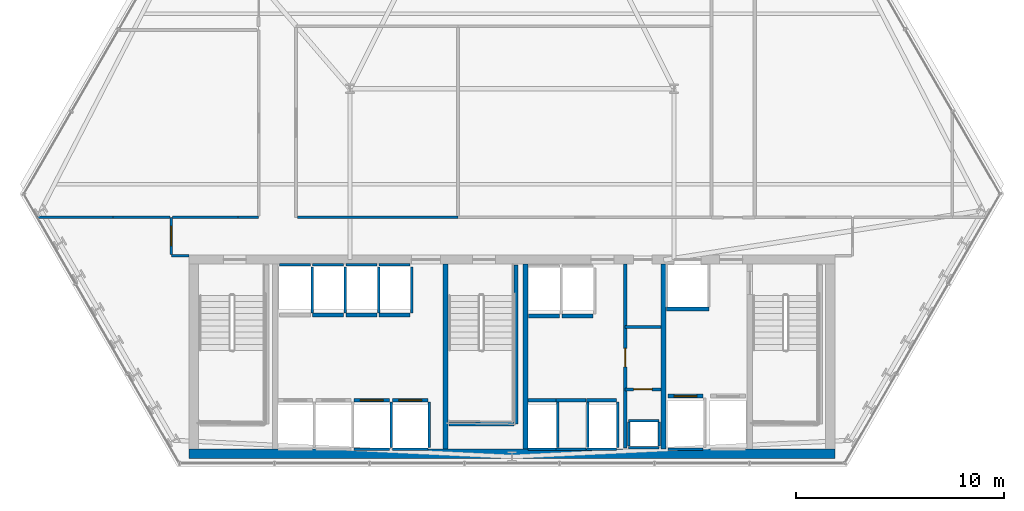
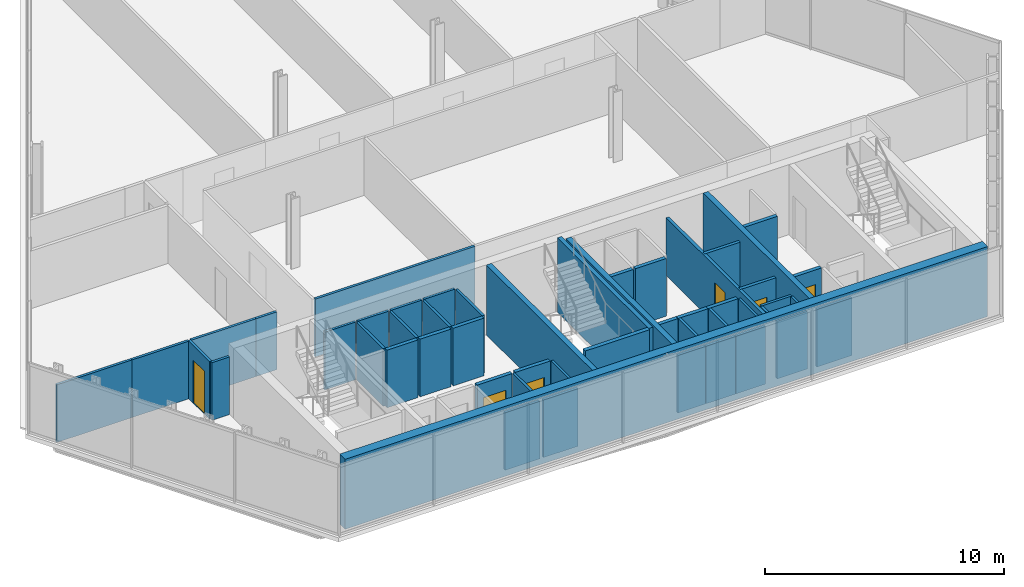
# One storey, part 27 of 32: 51 walls, 6 doors, 6 openings.
"""IFC4 building model written with IfcOpenShell, lengths in metres."""

from ifc_helpers import new_model, si_unit, direction, frame, frame_2d, origin, place, context, subcontext, project, spatial, rectangle, extrude, material, layer, layer_set, type_object, element, fill, save


model = new_model("IFC4")

# Units and contexts
model_context = context("Model", 3, precision=1e-05, world=origin(), true_north=direction((0.0, 1.0)))
body_context = subcontext(model_context, "Body", "Model", "MODEL_VIEW")
ifc_project = project(units=[si_unit("LENGTHUNIT", "METRE"), si_unit("AREAUNIT", "SQUARE_METRE"), si_unit("VOLUMEUNIT", "CUBIC_METRE"), si_unit("PLANEANGLEUNIT", "RADIAN"), si_unit("MASSUNIT", "GRAM", prefix="KILO")], contexts=[model_context])

# Site, building, storey
site_placement = place(None, origin())
site = spatial("IfcSite", under=ifc_project, at=site_placement, CompositionType="ELEMENT")
building_placement = place(site_placement, origin())
building = spatial("IfcBuilding", under=site, at=building_placement, Name="Ndaravel Arena Tower", CompositionType="ELEMENT")
storey_placement = place(building_placement, frame((0.0, 0.0, 70.199951171875)))
storey = spatial("IfcBuildingStorey", under=building, at=storey_placement, Name="L15", CompositionType="ELEMENT", Elevation=70.199951171875)

# Wall, opening, door
ifc_material_1 = material(Name="Gypsum", Category="gypsum")
ifc_layer_1 = layer(ifc_material_1, 0.14990234375)
ifc_layer_set_1 = layer_set([ifc_layer_1], Name="Gypsum")
wall_type_1 = type_object("IfcWallType", Name="WALL-COMP-150", PredefinedType="PARTITIONING", material=ifc_layer_set_1)
wall_1_placement = place(storey_placement, frame((47.449951171875, 5.89990234375, 0.0), z_axis=(0.0, 0.0, 1.0), x_axis=(0.0, 1.0, 0.0)))
wall_1 = element("IfcWall", 1, at=wall_1_placement, inside=storey, type_object=wall_type_1, Name="L15 Core Riser Bay Partition", PredefinedType="PARTITIONING", context=body_context, shape_type="SweptSolid", body=[
    extrude(rectangle(XDim=8.85009765625, YDim=0.14990234375, at=frame_2d((4.425048828125, 0.0))), origin(), (0.0, 0.0, 1.0), 2.949951171875),
])
opening_1_placement = place(wall_1_placement, frame((3.89990234375, 0.0, 0.0)))
opening_1 = element("IfcOpeningElement", 2, at=opening_1_placement, cuts=wall_1, Name="Opening RD-01", PredefinedType="OPENING", context=body_context, shape_type="SweptSolid", body=[
    extrude(rectangle(XDim=0.89990234375, YDim=2.10009765625, at=frame_2d((0.449951171875, 1.050048828125))), frame((0.0, 0.074951171875, 0.0), z_axis=(0.0, -1.0, 0.0), x_axis=(1.0, 0.0, 0.0)), (0.0, 0.0, 1.0), 0.14990234375),
])
ifc_material_2 = material(Name="Steel S355", Category="steel")
door_type_1 = type_object("IfcDoorType", Name="DT-08-RISER-900", OperationType="SINGLE_SWING_LEFT", PredefinedType="DOOR", material=ifc_material_2)
door_1_placement = place(opening_1_placement, origin())
door_1 = element("IfcDoor", 3, at=door_1_placement, inside=storey, type_object=door_type_1, Name="L15 Plumbing Riser Door", OperationType="SINGLE_SWING_LEFT", OverallHeight=2.10009765625, OverallWidth=0.89990234375, PredefinedType="DOOR", context=body_context, shape_type="SweptSolid", body=[
    extrude(rectangle(XDim=0.89990234375, YDim=2.10009765625, at=frame_2d((0.449951171875, 1.050048828125))), frame((0.0, 0.02490234375, 0.0), z_axis=(0.0, -1.0, 0.0), x_axis=(1.0, 0.0, 0.0)), (0.0, 0.0, 1.0), 0.050048828125),
])
fill(opening_1, door_1)

wall_2_placement = place(storey_placement, frame((47.449951171875, 8.719970703125, 0.0), z_axis=(0.0, 0.0, 1.0), x_axis=(1.0, 0.0, 0.0)))
wall_2 = element("IfcWall", 4, at=wall_2_placement, inside=storey, type_object=wall_type_1, Name="L15 Core Riser Divider 1", PredefinedType="PARTITIONING", context=body_context, shape_type="SweptSolid", body=[
    extrude(rectangle(XDim=1.72998046875, YDim=0.14990234375, at=frame_2d((0.864990234375, 0.0))), origin(), (0.0, 0.0, 1.0), 2.949951171875),
])
opening_2_placement = place(wall_2_placement, frame((0.39990234375, 0.0, 0.0)))
opening_2 = element("IfcOpeningElement", 5, at=opening_2_placement, cuts=wall_2, Name="Opening RD-01", PredefinedType="OPENING", context=body_context, shape_type="SweptSolid", body=[
    extrude(rectangle(XDim=0.89990234375, YDim=2.10009765625, at=frame_2d((0.449951171875, 1.050048828125))), frame((0.0, 0.074951171875, 0.0), z_axis=(0.0, -1.0, 0.0), x_axis=(1.0, 0.0, 0.0)), (0.0, 0.0, 1.0), 0.14990234375),
])
door_2_placement = place(opening_2_placement, origin())
door_2 = element("IfcDoor", 6, at=door_2_placement, inside=storey, type_object=door_type_1, Name="L15 Low-Voltage Riser Door", OperationType="SINGLE_SWING_RIGHT", OverallHeight=2.10009765625, OverallWidth=0.89990234375, PredefinedType="DOOR", context=body_context, shape_type="SweptSolid", body=[
    extrude(rectangle(XDim=0.89990234375, YDim=2.10009765625, at=frame_2d((0.449951171875, 1.050048828125))), frame((0.0, 0.02490234375, 0.0), z_axis=(0.0, -1.0, 0.0), x_axis=(1.0, 0.0, 0.0)), (0.0, 0.0, 1.0), 0.050048828125),
])
fill(opening_2, door_2)

# Walls
wall_3_placement = place(storey_placement, frame((47.449951171875, 11.719970703125, 0.0), z_axis=(0.0, 0.0, 1.0), x_axis=(1.0, 0.0, 0.0)))
element("IfcWall", 7, at=wall_3_placement, inside=storey, type_object=wall_type_1, Name="L15 Core Riser Divider 2", PredefinedType="PARTITIONING", context=body_context, shape_type="SweptSolid", body=[
    extrude(rectangle(XDim=1.72998046875, YDim=0.14990234375, at=frame_2d((0.864990234375, 0.0))), origin(), (0.0, 0.0, 1.0), 2.949951171875),
])
ifc_material_3 = material(Name="Concrete C60/75", Category="concrete")
ifc_layer_2 = layer(ifc_material_3, 0.25)
ifc_layer_set_2 = layer_set([ifc_layer_2], Name="Concrete C60/75")
wall_type_2 = type_object("IfcWallType", Name="WALL-CORE-250", PredefinedType="SOLIDWALL", material=ifc_layer_set_2)
for number, where, z_axis, x_axis, name in (
    (8, (38.800048828125, 5.85009765625, 0.0), (0.0, 0.0, 1.0), (0.0, 1.0, 0.0), "L15 Core Web Shear Wall 2"),
    (9, (42.64990234375, 5.85009765625, 0.0), (0.0, 0.0, 1.0), (0.0, 1.0, 0.0), "L15 Core Web Shear Wall 3"),
    (10, (49.300048828125, 5.85009765625, 0.0), (0.0, 0.0, 1.0), (0.0, 1.0, 0.0), "L15 Core Web Shear Wall 4"),
):
    element("IfcWall", number, at=place(storey_placement, frame(where, z_axis=z_axis, x_axis=x_axis)), inside=storey, type_object=wall_type_2, Name=name, PredefinedType="SOLIDWALL", context=body_context, shape_type="SweptSolid", body=[
        extrude(rectangle(XDim=8.89990234375, YDim=0.25, at=frame_2d((4.449951171875, 0.0))), origin(), (0.0, 0.0, 1.0), 3.580078125),
    ])
ifc_material_4 = material(Name="Concrete C60/75", Category="concrete")
ifc_layer_3 = layer(ifc_material_4, 0.449951171875)
ifc_layer_set_3 = layer_set([ifc_layer_3], Name="Concrete C60/75")
wall_type_3 = type_object("IfcWallType", Name="WALL-CORE-450", PredefinedType="SOLIDWALL", material=ifc_layer_set_3)
wall_4_placement = place(storey_placement, frame((26.449951171875, 5.625, 0.0), z_axis=(0.0, 0.0, 1.0), x_axis=(1.0, 0.0, 0.0)))
element("IfcWall", 11, at=wall_4_placement, inside=storey, type_object=wall_type_3, Name="L15 Core South Shear Wall", PredefinedType="SOLIDWALL", context=body_context, shape_type="SweptSolid", body=[
    extrude(rectangle(XDim=31.10009765625, YDim=0.449951171875, at=frame_2d((15.550048828125, 0.0))), origin(), (0.0, 0.0, 1.0), 3.580078125),
])
ifc_material_5 = material(Name="Gypsum", Category="gypsum")
ifc_layer_4 = layer(ifc_material_5, 0.125)
ifc_layer_set_4 = layer_set([ifc_layer_4], Name="Gypsum")
wall_type_4 = type_object("IfcWallType", Name="WALL-PART-125", PredefinedType="PARTITIONING", material=ifc_layer_set_4)
wall_5_placement = place(storey_placement, frame((26.449951171875, 15.14990234375, 0.0), z_axis=(0.0, 0.0, 1.0), x_axis=(-1.0, 0.0, 0.0)))
element("IfcWall", 12, at=wall_5_placement, inside=storey, type_object=wall_type_4, Name="L15 Interior Partition 003", PredefinedType="PARTITIONING", context=body_context, shape_type="SweptSolid", body=[
    extrude(rectangle(XDim=0.849853515625, YDim=0.125, at=frame_2d((0.4248046875, 0.0))), origin(), (0.0, 0.0, 1.0), 2.949951171875),
])

# Wall, opening, door
wall_6_placement = place(storey_placement, frame((25.60009765625, 15.215087890625, 0.0), z_axis=(0.0, 0.0, 1.0), x_axis=(0.0, 1.0, 0.0)))
wall_6 = element("IfcWall", 13, at=wall_6_placement, inside=storey, type_object=wall_type_4, Name="L15 Interior Partition 004", PredefinedType="PARTITIONING", context=body_context, shape_type="SweptSolid", body=[
    extrude(rectangle(XDim=1.784912109375, YDim=0.125, at=frame_2d((0.892578125, 0.0))), origin(), (0.0, 0.0, 1.0), 2.949951171875),
])
opening_3_placement = place(wall_6_placement, frame((0.41748046875, 0.0, 0.0)))
opening_3 = element("IfcOpeningElement", 14, at=opening_3_placement, cuts=wall_6, Name="Opening ID-01", PredefinedType="OPENING", context=body_context, shape_type="SweptSolid", body=[
    extrude(rectangle(XDim=0.949951171875, YDim=2.199951171875, at=frame_2d((0.47509765625, 1.10009765625))), frame((0.0, 0.0625, 0.0), z_axis=(0.0, -1.0, 0.0), x_axis=(1.0, 0.0, 0.0)), (0.0, 0.0, 1.0), 0.125),
])
ifc_material_6 = material(Name="Timber", Category="wood")
door_type_2 = type_object("IfcDoorType", Name="DT-03-OFFICE-950", OperationType="SINGLE_SWING_LEFT", PredefinedType="DOOR", material=ifc_material_6)
door_3_placement = place(opening_3_placement, origin())
door_3 = element("IfcDoor", 15, at=door_3_placement, inside=storey, type_object=door_type_2, Name="L15 Open Plan Workplace Door", OperationType="SINGLE_SWING_RIGHT", OverallHeight=2.199951171875, OverallWidth=0.949951171875, PredefinedType="DOOR", context=body_context, shape_type="SweptSolid", body=[
    extrude(rectangle(XDim=0.949951171875, YDim=2.199951171875, at=frame_2d((0.47509765625, 1.10009765625))), frame((0.0, 0.02490234375, 0.0), z_axis=(0.0, -1.0, 0.0), x_axis=(1.0, 0.0, 0.0)), (0.0, 0.0, 1.0), 0.050048828125),
])
fill(opening_3, door_3)

# Walls
wall_7_placement = place(storey_placement, frame((25.6650390625, 17.0, 0.0), z_axis=(0.0, 0.0, 1.0), x_axis=(1.0, 0.0, 0.0)))
element("IfcWall", 16, at=wall_7_placement, inside=storey, type_object=wall_type_4, Name="L15 Interior Partition 005", PredefinedType="PARTITIONING", context=body_context, shape_type="SweptSolid", body=[
    extrude(rectangle(XDim=3.135009765625, YDim=0.125, at=frame_2d((1.5673828125, 0.0))), origin(), (0.0, 0.0, 1.0), 2.949951171875),
])
wall_8_placement = place(storey_placement, frame((28.800048828125, 17.0, 0.0), z_axis=(0.0, 0.0, 1.0), x_axis=(1.0, 0.0, 0.0)))
element("IfcWall", 17, at=wall_8_placement, inside=storey, type_object=wall_type_4, Name="L15 Interior Partition 006", PredefinedType="PARTITIONING", context=body_context, shape_type="SweptSolid", body=[
    extrude(rectangle(XDim=1.0, YDim=0.125, at=frame_2d((0.5, 0.0))), origin(), (0.0, 0.0, 1.0), 2.949951171875),
])
wall_9_placement = place(storey_placement, frame((31.6650390625, 17.0, 0.0), z_axis=(0.0, 0.0, 1.0), x_axis=(1.0, 0.0, 0.0)))
element("IfcWall", 18, at=wall_9_placement, inside=storey, type_object=wall_type_4, Name="L15 Interior Partition 018", PredefinedType="PARTITIONING", context=body_context, shape_type="SweptSolid", body=[
    extrude(rectangle(XDim=7.73486328125, YDim=0.125, at=frame_2d((3.867431640625, 0.0))), origin(), (0.0, 0.0, 1.0), 2.949951171875),
])
wall_10_placement = place(storey_placement, frame((19.1494140625, 17.0, 0.0), z_axis=(0.0, 0.0, 1.0), x_axis=(1.0, 0.0, 0.0)))
element("IfcWall", 19, at=wall_10_placement, inside=storey, type_object=wall_type_4, Name="L15 Interior Partition 023", PredefinedType="PARTITIONING", context=body_context, shape_type="SweptSolid", body=[
    extrude(rectangle(XDim=3.650634765625, YDim=0.125, at=frame_2d((1.8251953125, 0.0))), origin(), (0.0, 0.0, 1.0), 2.949951171875),
])
wall_11_placement = place(storey_placement, frame((22.800048828125, 17.0, 0.0), z_axis=(0.0, 0.0, 1.0), x_axis=(1.0, 0.0, 0.0)))
element("IfcWall", 20, at=wall_11_placement, inside=storey, type_object=wall_type_4, Name="L15 Interior Partition 024", PredefinedType="PARTITIONING", context=body_context, shape_type="SweptSolid", body=[
    extrude(rectangle(XDim=2.73486328125, YDim=0.125, at=frame_2d((1.367431640625, 0.0))), origin(), (0.0, 0.0, 1.0), 2.949951171875),
])
ifc_material_7 = material(Name="Concrete C40/50", Category="concrete")
ifc_layer_5 = layer(ifc_material_7, 0.1201171875)
ifc_layer_set_5 = layer_set([ifc_layer_5], Name="Concrete C40/50")
wall_type_5 = type_object("IfcWallType", Name="WALL-SHAFT-120", PredefinedType="SOLIDWALL", material=ifc_layer_set_5)
for number, where, z_axis, x_axis, name in (
    (21, (47.6201171875, 5.919921875, 0.0), (0.0, 0.0, 1.0), (1.0, 0.0, 0.0), "L15 MEP Riser Shaft S Wall"),
    (22, (47.6201171875, 7.219970703125, 0.0), (0.0, 0.0, 1.0), (1.0, 0.0, 0.0), "L15 MEP Riser Shaft N Wall"),
):
    element("IfcWall", number, at=place(storey_placement, frame(where, z_axis=z_axis, x_axis=x_axis)), inside=storey, type_object=wall_type_5, Name=name, PredefinedType="SOLIDWALL", context=body_context, shape_type="SweptSolid", body=[
        extrude(rectangle(XDim=1.4599609375, YDim=0.1201171875, at=frame_2d((0.72998046875, 0.0))), origin(), (0.0, 0.0, 1.0), 2.949951171875),
    ])
for number, where, z_axis, x_axis, name in (
    (23, (47.6201171875, 6.0, 0.0), (0.0, 0.0, 1.0), (0.0, 1.0, 0.0), "L15 MEP Riser Shaft W Wall"),
    (24, (49.080078125, 6.0, 0.0), (0.0, 0.0, 1.0), (0.0, 1.0, 0.0), "L15 MEP Riser Shaft E Wall"),
):
    element("IfcWall", number, at=place(storey_placement, frame(where, z_axis=z_axis, x_axis=x_axis)), inside=storey, type_object=wall_type_5, Name=name, PredefinedType="SOLIDWALL", context=body_context, shape_type="SweptSolid", body=[
        extrude(rectangle(XDim=1.139892578125, YDim=0.1201171875, at=frame_2d((0.56982421875, 0.0))), origin(), (0.0, 0.0, 1.0), 2.949951171875),
    ])
wall_12_placement = place(storey_placement, frame((34.405029296875, 5.840087890625, 0.0), z_axis=(0.0, 0.0, 1.0), x_axis=(1.0, 0.0, 0.0)))
element("IfcWall", 25, at=wall_12_placement, inside=storey, type_object=wall_type_5, Name="L15 PL-L3 Shaft Rear Wall", PredefinedType="SOLIDWALL", context=body_context, shape_type="SweptSolid", body=[
    extrude(rectangle(XDim=1.68994140625, YDim=0.1201171875, at=frame_2d((0.844970703125, 0.0))), origin(), (0.0, 0.0, 1.0), 2.949951171875),
])
wall_13_placement = place(storey_placement, frame((36.175048828125, 5.929931640625, 0.0), z_axis=(0.0, 0.0, 1.0), x_axis=(0.0, 1.0, 0.0)))
element("IfcWall", 26, at=wall_13_placement, inside=storey, type_object=wall_type_5, Name="L15 PL-L3 Shaft Side R Wall", PredefinedType="SOLIDWALL", context=body_context, shape_type="SweptSolid", body=[
    extrude(rectangle(XDim=2.18017578125, YDim=0.1201171875, at=frame_2d((1.090087890625, 0.0))), origin(), (0.0, 0.0, 1.0), 2.949951171875),
])
wall_14_placement = place(storey_placement, frame((36.2548828125, 5.840087890625, 0.0), z_axis=(0.0, 0.0, 1.0), x_axis=(1.0, 0.0, 0.0)))
element("IfcWall", 27, at=wall_14_placement, inside=storey, type_object=wall_type_5, Name="L15 PL-L4 Shaft Rear Wall", PredefinedType="SOLIDWALL", context=body_context, shape_type="SweptSolid", body=[
    extrude(rectangle(XDim=1.690185546875, YDim=0.1201171875, at=frame_2d((0.84521484375, 0.0))), origin(), (0.0, 0.0, 1.0), 2.949951171875),
])
wall_15_placement = place(storey_placement, frame((38.02490234375, 5.929931640625, 0.0), z_axis=(0.0, 0.0, 1.0), x_axis=(0.0, 1.0, 0.0)))
element("IfcWall", 28, at=wall_15_placement, inside=storey, type_object=wall_type_5, Name="L15 PL-L4 Shaft Side R Wall", PredefinedType="SOLIDWALL", context=body_context, shape_type="SweptSolid", body=[
    extrude(rectangle(XDim=2.18017578125, YDim=0.1201171875, at=frame_2d((1.090087890625, 0.0))), origin(), (0.0, 0.0, 1.0), 2.949951171875),
])
wall_16_placement = place(storey_placement, frame((30.804931640625, 14.7099609375, 0.0), z_axis=(0.0, 0.0, 1.0), x_axis=(1.0, 0.0, 0.0)))
element("IfcWall", 29, at=wall_16_placement, inside=storey, type_object=wall_type_5, Name="L15 PL-M1 Shaft Rear Wall", PredefinedType="SOLIDWALL", context=body_context, shape_type="SweptSolid", body=[
    extrude(rectangle(XDim=1.489990234375, YDim=0.1201171875, at=frame_2d((0.7451171875, 0.0))), origin(), (0.0, 0.0, 1.0), 2.949951171875),
])
wall_17_placement = place(storey_placement, frame((32.375, 12.389892578125, 0.0), z_axis=(0.0, 0.0, 1.0), x_axis=(0.0, 1.0, 0.0)))
element("IfcWall", 30, at=wall_17_placement, inside=storey, type_object=wall_type_5, Name="L15 PL-M1 Shaft Side R Wall", PredefinedType="SOLIDWALL", context=body_context, shape_type="SweptSolid", body=[
    extrude(rectangle(XDim=2.230224609375, YDim=0.1201171875, at=frame_2d((1.115234375, 0.0))), origin(), (0.0, 0.0, 1.0), 2.949951171875),
])
wall_18_placement = place(storey_placement, frame((32.405029296875, 14.7099609375, 0.0), z_axis=(0.0, 0.0, 1.0), x_axis=(1.0, 0.0, 0.0)))
element("IfcWall", 31, at=wall_18_placement, inside=storey, type_object=wall_type_5, Name="L15 PL-M2 Shaft Rear Wall", PredefinedType="SOLIDWALL", context=body_context, shape_type="SweptSolid", body=[
    extrude(rectangle(XDim=1.489990234375, YDim=0.1201171875, at=frame_2d((0.7451171875, 0.0))), origin(), (0.0, 0.0, 1.0), 2.949951171875),
])
wall_19_placement = place(storey_placement, frame((33.97509765625, 12.389892578125, 0.0), z_axis=(0.0, 0.0, 1.0), x_axis=(0.0, 1.0, 0.0)))
element("IfcWall", 32, at=wall_19_placement, inside=storey, type_object=wall_type_5, Name="L15 PL-M2 Shaft Side R Wall", PredefinedType="SOLIDWALL", context=body_context, shape_type="SweptSolid", body=[
    extrude(rectangle(XDim=2.230224609375, YDim=0.1201171875, at=frame_2d((1.115234375, 0.0))), origin(), (0.0, 0.0, 1.0), 2.949951171875),
])
wall_20_placement = place(storey_placement, frame((34.0048828125, 14.7099609375, 0.0), z_axis=(0.0, 0.0, 1.0), x_axis=(1.0, 0.0, 0.0)))
element("IfcWall", 33, at=wall_20_placement, inside=storey, type_object=wall_type_5, Name="L15 PL-M3 Shaft Rear Wall", PredefinedType="SOLIDWALL", context=body_context, shape_type="SweptSolid", body=[
    extrude(rectangle(XDim=1.490234375, YDim=0.1201171875, at=frame_2d((0.7451171875, 0.0))), origin(), (0.0, 0.0, 1.0), 2.949951171875),
])
wall_21_placement = place(storey_placement, frame((35.574951171875, 12.389892578125, 0.0), z_axis=(0.0, 0.0, 1.0), x_axis=(0.0, 1.0, 0.0)))
element("IfcWall", 34, at=wall_21_placement, inside=storey, type_object=wall_type_5, Name="L15 PL-M3 Shaft Side R Wall", PredefinedType="SOLIDWALL", context=body_context, shape_type="SweptSolid", body=[
    extrude(rectangle(XDim=2.230224609375, YDim=0.1201171875, at=frame_2d((1.115234375, 0.0))), origin(), (0.0, 0.0, 1.0), 2.949951171875),
])
wall_22_placement = place(storey_placement, frame((35.60498046875, 14.7099609375, 0.0), z_axis=(0.0, 0.0, 1.0), x_axis=(1.0, 0.0, 0.0)))
element("IfcWall", 35, at=wall_22_placement, inside=storey, type_object=wall_type_5, Name="L15 PL-M4 Shaft Rear Wall", PredefinedType="SOLIDWALL", context=body_context, shape_type="SweptSolid", body=[
    extrude(rectangle(XDim=1.489990234375, YDim=0.1201171875, at=frame_2d((0.7451171875, 0.0))), origin(), (0.0, 0.0, 1.0), 2.949951171875),
])
wall_23_placement = place(storey_placement, frame((37.175048828125, 12.389892578125, 0.0), z_axis=(0.0, 0.0, 1.0), x_axis=(0.0, 1.0, 0.0)))
element("IfcWall", 36, at=wall_23_placement, inside=storey, type_object=wall_type_5, Name="L15 PL-M4 Shaft Side R Wall", PredefinedType="SOLIDWALL", context=body_context, shape_type="SweptSolid", body=[
    extrude(rectangle(XDim=2.230224609375, YDim=0.1201171875, at=frame_2d((1.115234375, 0.0))), origin(), (0.0, 0.0, 1.0), 2.949951171875),
])
wall_24_placement = place(storey_placement, frame((42.780029296875, 5.840087890625, 0.0), z_axis=(0.0, 0.0, 1.0), x_axis=(1.0, 0.0, 0.0)))
element("IfcWall", 37, at=wall_24_placement, inside=storey, type_object=wall_type_5, Name="L15 PL-H1 Shaft Rear Wall", PredefinedType="SOLIDWALL", context=body_context, shape_type="SweptSolid", body=[
    extrude(rectangle(XDim=1.340087890625, YDim=0.1201171875, at=frame_2d((0.669921875, 0.0))), origin(), (0.0, 0.0, 1.0), 2.949951171875),
])
wall_25_placement = place(storey_placement, frame((44.199951171875, 5.929931640625, 0.0), z_axis=(0.0, 0.0, 1.0), x_axis=(0.0, 1.0, 0.0)))
element("IfcWall", 38, at=wall_25_placement, inside=storey, type_object=wall_type_5, Name="L15 PL-H1 Shaft Side R Wall", PredefinedType="SOLIDWALL", context=body_context, shape_type="SweptSolid", body=[
    extrude(rectangle(XDim=2.18017578125, YDim=0.1201171875, at=frame_2d((1.090087890625, 0.0))), origin(), (0.0, 0.0, 1.0), 2.949951171875),
])
wall_26_placement = place(storey_placement, frame((44.1298828125, 5.840087890625, 0.0), z_axis=(0.0, 0.0, 1.0), x_axis=(1.0, 0.0, 0.0)))
element("IfcWall", 39, at=wall_26_placement, inside=storey, type_object=wall_type_5, Name="L15 PL-H2 Shaft Rear Wall", PredefinedType="SOLIDWALL", context=body_context, shape_type="SweptSolid", body=[
    extrude(rectangle(XDim=1.440185546875, YDim=0.1201171875, at=frame_2d((0.72021484375, 0.0))), origin(), (0.0, 0.0, 1.0), 2.949951171875),
])
wall_27_placement = place(storey_placement, frame((45.64990234375, 5.929931640625, 0.0), z_axis=(0.0, 0.0, 1.0), x_axis=(0.0, 1.0, 0.0)))
element("IfcWall", 40, at=wall_27_placement, inside=storey, type_object=wall_type_5, Name="L15 PL-H2 Shaft Side R Wall", PredefinedType="SOLIDWALL", context=body_context, shape_type="SweptSolid", body=[
    extrude(rectangle(XDim=2.18017578125, YDim=0.1201171875, at=frame_2d((1.090087890625, 0.0))), origin(), (0.0, 0.0, 1.0), 2.949951171875),
])
wall_28_placement = place(storey_placement, frame((45.580078125, 5.840087890625, 0.0), z_axis=(0.0, 0.0, 1.0), x_axis=(1.0, 0.0, 0.0)))
element("IfcWall", 41, at=wall_28_placement, inside=storey, type_object=wall_type_5, Name="L15 PL-H3 Shaft Rear Wall", PredefinedType="SOLIDWALL", context=body_context, shape_type="SweptSolid", body=[
    extrude(rectangle(XDim=1.43994140625, YDim=0.1201171875, at=frame_2d((0.719970703125, 0.0))), origin(), (0.0, 0.0, 1.0), 2.949951171875),
])
wall_29_placement = place(storey_placement, frame((47.10009765625, 5.929931640625, 0.0), z_axis=(0.0, 0.0, 1.0), x_axis=(0.0, 1.0, 0.0)))
element("IfcWall", 42, at=wall_29_placement, inside=storey, type_object=wall_type_5, Name="L15 PL-H3 Shaft Side R Wall", PredefinedType="SOLIDWALL", context=body_context, shape_type="SweptSolid", body=[
    extrude(rectangle(XDim=2.18017578125, YDim=0.1201171875, at=frame_2d((1.090087890625, 0.0))), origin(), (0.0, 0.0, 1.0), 2.949951171875),
])
wall_30_placement = place(storey_placement, frame((49.5048828125, 5.840087890625, 0.0), z_axis=(0.0, 0.0, 1.0), x_axis=(1.0, 0.0, 0.0)))
element("IfcWall", 43, at=wall_30_placement, inside=storey, type_object=wall_type_5, Name="L15 FFL-1 Shaft Rear Wall", PredefinedType="SOLIDWALL", context=body_context, shape_type="SweptSolid", body=[
    extrude(rectangle(XDim=1.690185546875, YDim=0.1201171875, at=frame_2d((0.84521484375, 0.0))), origin(), (0.0, 0.0, 1.0), 2.949951171875),
])
ifc_material_8 = material(Name="Concrete C40/50", Category="concrete")
ifc_layer_6 = layer(ifc_material_8, 0.199951171875)
ifc_layer_set_6 = layer_set([ifc_layer_6], Name="Concrete C40/50")
wall_type_6 = type_object("IfcWallType", Name="WALL-SHAFT-200", PredefinedType="SOLIDWALL", material=ifc_layer_set_6)
wall_31_placement = place(storey_placement, frame((42.18994140625, 14.699951171875, 0.0), z_axis=(0.0, 0.0, 1.0), x_axis=(0.0, -1.0, 0.0)))
element("IfcWall", 44, at=wall_31_placement, inside=storey, type_object=wall_type_6, Name="L15 ST-2 Structural Shaft Wall Right", PredefinedType="SOLIDWALL", context=body_context, shape_type="SweptSolid", body=[
    extrude(rectangle(XDim=7.64990234375, YDim=0.199951171875, at=frame_2d((3.824951171875, 0.0))), origin(), (0.0, 0.0, 1.0), 3.800048828125),
])
wall_32_placement = place(storey_placement, frame((38.969970703125, 7.050048828125, 0.0), z_axis=(0.0, 0.0, 1.0), x_axis=(1.0, 0.0, 0.0)))
element("IfcWall", 45, at=wall_32_placement, inside=storey, type_object=wall_type_6, Name="L15 ST-2 Structural Shaft Wall Far", PredefinedType="SOLIDWALL", context=body_context, shape_type="SweptSolid", body=[
    extrude(rectangle(XDim=3.114990234375, YDim=0.199951171875, at=frame_2d((1.5576171875, 0.0))), origin(), (0.0, 0.0, 1.0), 3.800048828125),
])

# Wall, opening, door
wall_33_placement = place(storey_placement, frame((34.405029296875, 8.199951171875, 0.0), z_axis=(0.0, 0.0, 1.0), x_axis=(1.0, 0.0, 0.0)))
wall_33 = element("IfcWall", 46, at=wall_33_placement, inside=storey, type_object=wall_type_6, Name="L15 PL-L3 Shaft Landing Wall", PredefinedType="SOLIDWALL", context=body_context, shape_type="SweptSolid", body=[
    extrude(rectangle(XDim=1.68994140625, YDim=0.179931640625, at=frame_2d((0.844970703125, 0.0))), origin(), (0.0, 0.0, 1.0), 2.949951171875),
])
opening_4_placement = place(wall_33_placement, frame((0.294921875, 0.0, 0.0)))
opening_4 = element("IfcOpeningElement", 47, at=opening_4_placement, cuts=wall_33, Name="Opening LD-01", PredefinedType="OPENING", context=body_context, shape_type="SweptSolid", body=[
    extrude(rectangle(XDim=1.10009765625, YDim=2.199951171875, at=frame_2d((0.550048828125, 1.10009765625))), frame((0.0, 0.08984375, 0.0), z_axis=(0.0, -1.0, 0.0), x_axis=(1.0, 0.0, 0.0)), (0.0, 0.0, 1.0), 0.179931640625),
])
ifc_material_9 = material(Name="Steel S355", Category="steel")
door_type_3 = type_object("IfcDoorType", Name="DT-06-LIFT-1100", OperationType="SLIDING_TO_LEFT", PredefinedType="DOOR", material=ifc_material_9)
door_4_placement = place(opening_4_placement, origin())
door_4 = element("IfcDoor", 48, at=door_4_placement, inside=storey, type_object=door_type_3, Name="L15 Lift PL-L3 Sliding Landing Door", OperationType="SLIDING_TO_LEFT", OverallHeight=2.199951171875, OverallWidth=1.10009765625, PredefinedType="DOOR", context=body_context, shape_type="SweptSolid", body=[
    extrude(rectangle(XDim=1.10009765625, YDim=2.199951171875, at=frame_2d((0.550048828125, 1.10009765625))), frame((0.0, 0.02490234375, 0.0), z_axis=(0.0, -1.0, 0.0), x_axis=(1.0, 0.0, 0.0)), (0.0, 0.0, 1.0), 0.050048828125),
])
fill(opening_4, door_4)

wall_34_placement = place(storey_placement, frame((36.2548828125, 8.199951171875, 0.0), z_axis=(0.0, 0.0, 1.0), x_axis=(1.0, 0.0, 0.0)))
wall_34 = element("IfcWall", 49, at=wall_34_placement, inside=storey, type_object=wall_type_6, Name="L15 PL-L4 Shaft Landing Wall", PredefinedType="SOLIDWALL", context=body_context, shape_type="SweptSolid", body=[
    extrude(rectangle(XDim=1.690185546875, YDim=0.179931640625, at=frame_2d((0.84521484375, 0.0))), origin(), (0.0, 0.0, 1.0), 2.949951171875),
])
opening_5_placement = place(wall_34_placement, frame((0.294921875, 0.0, 0.0)))
opening_5 = element("IfcOpeningElement", 50, at=opening_5_placement, cuts=wall_34, Name="Opening LD-01", PredefinedType="OPENING", context=body_context, shape_type="SweptSolid", body=[
    extrude(rectangle(XDim=1.10009765625, YDim=2.199951171875, at=frame_2d((0.550048828125, 1.10009765625))), frame((0.0, 0.08984375, 0.0), z_axis=(0.0, -1.0, 0.0), x_axis=(1.0, 0.0, 0.0)), (0.0, 0.0, 1.0), 0.179931640625),
])
door_5_placement = place(opening_5_placement, origin())
door_5 = element("IfcDoor", 51, at=door_5_placement, inside=storey, type_object=door_type_3, Name="L15 Lift PL-L4 Sliding Landing Door", OperationType="SLIDING_TO_LEFT", OverallHeight=2.199951171875, OverallWidth=1.10009765625, PredefinedType="DOOR", context=body_context, shape_type="SweptSolid", body=[
    extrude(rectangle(XDim=1.10009765625, YDim=2.199951171875, at=frame_2d((0.550048828125, 1.10009765625))), frame((0.0, 0.02490234375, 0.0), z_axis=(0.0, -1.0, 0.0), x_axis=(1.0, 0.0, 0.0)), (0.0, 0.0, 1.0), 0.050048828125),
])
fill(opening_5, door_5)

# Walls
wall_35_placement = place(storey_placement, frame((32.405029296875, 12.300048828125, 0.0), z_axis=(0.0, 0.0, 1.0), x_axis=(1.0, 0.0, 0.0)))
element("IfcWall", 52, at=wall_35_placement, inside=storey, type_object=wall_type_6, Name="L15 PL-M2 Shaft Landing Wall", PredefinedType="SOLIDWALL", context=body_context, shape_type="SweptSolid", body=[
    extrude(rectangle(XDim=1.489990234375, YDim=0.179931640625, at=frame_2d((0.7451171875, 0.0))), origin(), (0.0, 0.0, 1.0), 2.949951171875),
])
wall_36_placement = place(storey_placement, frame((34.0048828125, 12.300048828125, 0.0), z_axis=(0.0, 0.0, 1.0), x_axis=(1.0, 0.0, 0.0)))
element("IfcWall", 53, at=wall_36_placement, inside=storey, type_object=wall_type_6, Name="L15 PL-M3 Shaft Landing Wall", PredefinedType="SOLIDWALL", context=body_context, shape_type="SweptSolid", body=[
    extrude(rectangle(XDim=1.490234375, YDim=0.179931640625, at=frame_2d((0.7451171875, 0.0))), origin(), (0.0, 0.0, 1.0), 2.949951171875),
])
wall_37_placement = place(storey_placement, frame((35.60498046875, 12.300048828125, 0.0), z_axis=(0.0, 0.0, 1.0), x_axis=(1.0, 0.0, 0.0)))
element("IfcWall", 54, at=wall_37_placement, inside=storey, type_object=wall_type_6, Name="L15 PL-M4 Shaft Landing Wall", PredefinedType="SOLIDWALL", context=body_context, shape_type="SweptSolid", body=[
    extrude(rectangle(XDim=1.489990234375, YDim=0.179931640625, at=frame_2d((0.7451171875, 0.0))), origin(), (0.0, 0.0, 1.0), 2.949951171875),
])
wall_38_placement = place(storey_placement, frame((42.780029296875, 8.199951171875, 0.0), z_axis=(0.0, 0.0, 1.0), x_axis=(1.0, 0.0, 0.0)))
element("IfcWall", 55, at=wall_38_placement, inside=storey, type_object=wall_type_6, Name="L15 PL-H1 Shaft Landing Wall", PredefinedType="SOLIDWALL", context=body_context, shape_type="SweptSolid", body=[
    extrude(rectangle(XDim=1.340087890625, YDim=0.179931640625, at=frame_2d((0.669921875, 0.0))), origin(), (0.0, 0.0, 1.0), 2.949951171875),
])
wall_39_placement = place(storey_placement, frame((44.1298828125, 8.199951171875, 0.0), z_axis=(0.0, 0.0, 1.0), x_axis=(1.0, 0.0, 0.0)))
element("IfcWall", 56, at=wall_39_placement, inside=storey, type_object=wall_type_6, Name="L15 PL-H2 Shaft Landing Wall", PredefinedType="SOLIDWALL", context=body_context, shape_type="SweptSolid", body=[
    extrude(rectangle(XDim=1.440185546875, YDim=0.179931640625, at=frame_2d((0.72021484375, 0.0))), origin(), (0.0, 0.0, 1.0), 2.949951171875),
])
wall_40_placement = place(storey_placement, frame((45.580078125, 8.199951171875, 0.0), z_axis=(0.0, 0.0, 1.0), x_axis=(1.0, 0.0, 0.0)))
element("IfcWall", 57, at=wall_40_placement, inside=storey, type_object=wall_type_6, Name="L15 PL-H3 Shaft Landing Wall", PredefinedType="SOLIDWALL", context=body_context, shape_type="SweptSolid", body=[
    extrude(rectangle(XDim=1.43994140625, YDim=0.179931640625, at=frame_2d((0.719970703125, 0.0))), origin(), (0.0, 0.0, 1.0), 2.949951171875),
])
for number, where, z_axis, x_axis, name in (
    (58, (42.804931640625, 12.25, 0.0), (0.0, 0.0, 1.0), (1.0, 0.0, 0.0), "L15 PL-OBS1 Shaft Landing Wall"),
    (59, (44.405029296875, 12.25, 0.0), (0.0, 0.0, 1.0), (1.0, 0.0, 0.0), "L15 PL-OBS2 Shaft Landing Wall"),
):
    element("IfcWall", number, at=place(storey_placement, frame(where, z_axis=z_axis, x_axis=x_axis)), inside=storey, type_object=wall_type_6, Name=name, PredefinedType="SOLIDWALL", context=body_context, shape_type="SweptSolid", body=[
        extrude(rectangle(XDim=1.489990234375, YDim=0.179931640625, at=frame_2d((0.7451171875, 0.0))), origin(), (0.0, 0.0, 1.0), 2.949951171875),
    ])

# Wall, opening, door
wall_41_placement = place(storey_placement, frame((49.5048828125, 8.39990234375, 0.0), z_axis=(0.0, 0.0, 1.0), x_axis=(1.0, 0.0, 0.0)))
wall_41 = element("IfcWall", 60, at=wall_41_placement, inside=storey, type_object=wall_type_6, Name="L15 FFL-1 Shaft Landing Wall", PredefinedType="SOLIDWALL", context=body_context, shape_type="SweptSolid", body=[
    extrude(rectangle(XDim=1.690185546875, YDim=0.179931640625, at=frame_2d((0.84521484375, 0.0))), origin(), (0.0, 0.0, 1.0), 2.949951171875),
])
opening_6_placement = place(wall_41_placement, frame((0.294921875, 0.0, 0.0)))
opening_6 = element("IfcOpeningElement", 61, at=opening_6_placement, cuts=wall_41, Name="Opening LD-01", PredefinedType="OPENING", context=body_context, shape_type="SweptSolid", body=[
    extrude(rectangle(XDim=1.10009765625, YDim=2.199951171875, at=frame_2d((0.550048828125, 1.10009765625))), frame((0.0, 0.08984375, 0.0), z_axis=(0.0, -1.0, 0.0), x_axis=(1.0, 0.0, 0.0)), (0.0, 0.0, 1.0), 0.179931640625),
])
door_6_placement = place(opening_6_placement, origin())
door_6 = element("IfcDoor", 62, at=door_6_placement, inside=storey, type_object=door_type_3, Name="L15 Lift FFL-1 Sliding Landing Door", OperationType="SLIDING_TO_LEFT", OverallHeight=2.199951171875, OverallWidth=1.10009765625, PredefinedType="DOOR", context=body_context, shape_type="SweptSolid", body=[
    extrude(rectangle(XDim=1.10009765625, YDim=2.199951171875, at=frame_2d((0.550048828125, 1.10009765625))), frame((0.0, 0.02490234375, 0.0), z_axis=(0.0, -1.0, 0.0), x_axis=(1.0, 0.0, 0.0)), (0.0, 0.0, 1.0), 0.050048828125),
])
fill(opening_6, door_6)

# Wall
wall_42_placement = place(storey_placement, frame((49.43994140625, 12.594970703125, 0.0), z_axis=(0.0, 0.0, 1.0), x_axis=(1.0, 0.0, 0.0)))
element("IfcWall", 63, at=wall_42_placement, inside=storey, type_object=wall_type_6, Name="L15 SVL-1 Shaft South Wall", PredefinedType="SOLIDWALL", context=body_context, shape_type="SweptSolid", body=[
    extrude(rectangle(XDim=2.0400390625, YDim=0.179931640625, at=frame_2d((1.02001953125, 0.0))), origin(), (0.0, 0.0, 1.0), 2.949951171875),
])

save(model, "model.ifc")
